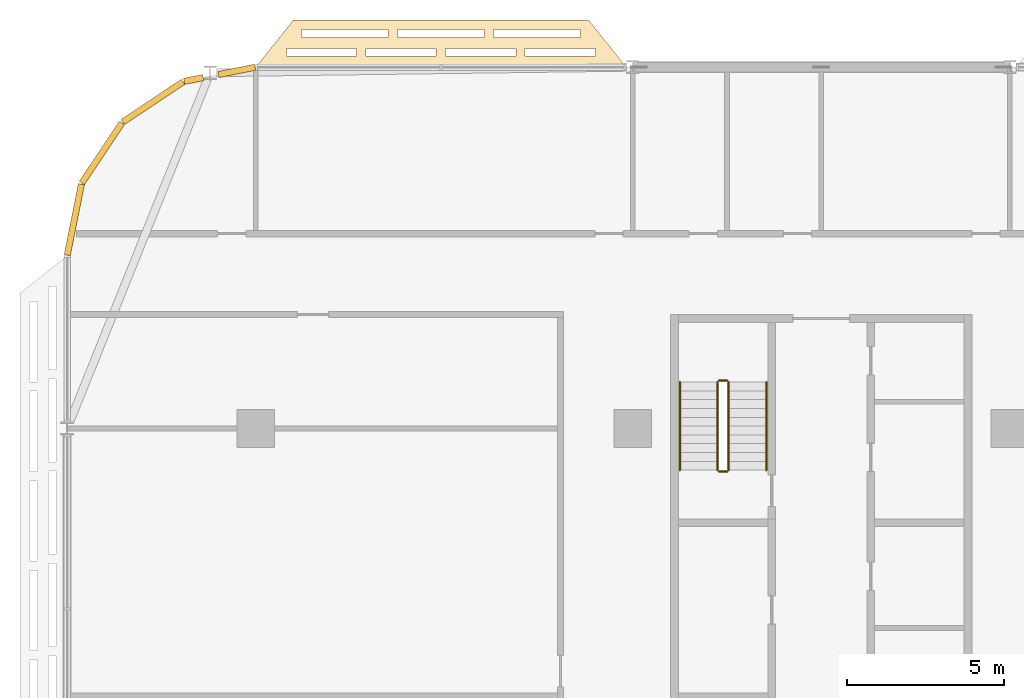
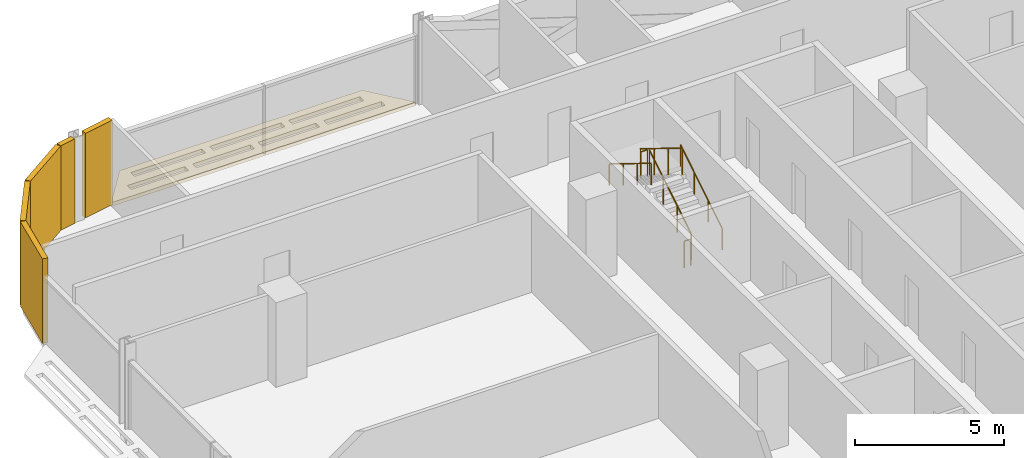
# One storey, part 24 of 27: 6 coverings, 6 railings.
"""IFC4 building model written with IfcOpenShell, lengths in metres."""

from ifc_helpers import new_model, si_unit, direction, frame, origin, origin_2d, place, context, subcontext, project, spatial, polyline, rectangle, circle, outline, extrude, material, layer, layer_set, type_object, element, save


model = new_model("IFC4")

# Units and contexts
model_context = context("Model", 3, precision=1e-05, world=origin(), true_north=direction((0.0, 1.0)))
body_context = subcontext(model_context, "Body", "Model", "MODEL_VIEW")
ifc_project = project(units=[si_unit("LENGTHUNIT", "METRE"), si_unit("AREAUNIT", "SQUARE_METRE"), si_unit("VOLUMEUNIT", "CUBIC_METRE"), si_unit("PLANEANGLEUNIT", "RADIAN"), si_unit("MASSUNIT", "GRAM", prefix="KILO")], contexts=[model_context])

# Site, building, storey
site_placement = place(None, origin())
site = spatial("IfcSite", under=ifc_project, at=site_placement, CompositionType="ELEMENT")
building_placement = place(site_placement, origin())
building = spatial("IfcBuilding", under=site, at=building_placement, Name="Mahtab Terrace Research Tower", CompositionType="ELEMENT")
storey_placement = place(building_placement, frame((0.0, 0.0, 166.800048828125)))
storey = spatial("IfcBuildingStorey", under=building, at=storey_placement, Name="L39", CompositionType="ELEMENT", Elevation=166.800048828125)

# Coverings
ifc_material_1 = material(Name="Black aluminium cladding panel", Category="aluminium")
ifc_layer_1 = layer(ifc_material_1, 0.199951171875)
ifc_layer_set_1 = layer_set([ifc_layer_1], Name="Black metal corner cladding 200")
covering_type_1 = type_object("IfcCoveringType", Name="Black metal corner cladding 200", PredefinedType="CLADDING", material=ifc_layer_set_1)
covering_1_placement = place(storey_placement, frame((-42.603271484375, 22.8798828125, 0.0), z_axis=(0.0, 0.0, 1.0), x_axis=(-0.980760981187, -0.195212442692, 0.0)))
element("IfcCovering", 1, at=covering_1_placement, inside=storey, type_object=covering_type_1, Name="Corner cladding L39 10", PredefinedType="CLADDING", context=body_context, shape_type="SweptSolid", body=[
    extrude(rectangle(XDim=1.1904296875, YDim=0.199951171875, at=origin_2d()), origin(), (0.0, 0.0, 1.0), 3.4599609375),
])
covering_2_placement = place(storey_placement, frame((-43.9716796875, 22.607666015625, 0.0), z_axis=(0.0, 0.0, 1.0), x_axis=(-0.980760981187, -0.195212442692, 0.0)))
element("IfcCovering", 2, at=covering_2_placement, inside=storey, type_object=covering_type_1, Name="Corner cladding L39 11", PredefinedType="CLADDING", context=body_context, shape_type="SweptSolid", body=[
    extrude(rectangle(XDim=0.62158203125, YDim=0.199951171875, at=origin_2d()), origin(), (0.0, 0.0, 1.0), 3.4599609375),
])
for number, where, z_axis, x_axis, name in (
    (3, (-45.26953125, 21.89306640625, 0.0), (0.0, 0.0, 1.0), (-0.831655794326, -0.555291490808, 0.0), "Corner cladding L39 12"),
    (4, (-46.89306640625, 20.26953125, 0.0), (0.0, 0.0, 1.0), (-0.555291490808, -0.831655794326, 0.0), "Corner cladding L39 13"),
    (5, (-47.771484375, 18.14794921875, 0.0), (0.0, 0.0, 1.0), (-0.195212442692, -0.980760981187, 0.0), "Corner cladding L39 14"),
):
    element("IfcCovering", number, at=place(storey_placement, frame(where, z_axis=z_axis, x_axis=x_axis)), inside=storey, type_object=covering_type_1, Name=name, PredefinedType="CLADDING", context=body_context, shape_type="SweptSolid", body=[
        extrude(rectangle(XDim=2.30126953125, YDim=0.199951171875, at=origin_2d()), origin(), (0.0, 0.0, 1.0), 3.4599609375),
    ])
ifc_material_2 = material(Name="Black anodised aluminium", Category="aluminium")
ifc_layer_2 = layer(ifc_material_2, 0.14990234375)
ifc_layer_set_2 = layer_set([ifc_layer_2], Name="Horizontal sunshade band")
covering_type_2 = type_object("IfcCoveringType", Name="Horizontal sunshade band", PredefinedType="CLADDING", material=ifc_layer_set_2)
covering_3_placement = place(storey_placement, frame((0.0, 0.0, -0.150146484375)))
element("IfcCovering", 6, at=covering_3_placement, inside=storey, type_object=covering_type_2, Name="Sunshade band L39 9", PredefinedType="CLADDING", context=body_context, shape_type="SweptSolid", body=[
    extrude(outline(polyline([(-30.2080078125, 23.0), (-42.0, 23.0), (-40.800048828125, 24.5), (-31.407958984375, 24.5), (-30.2080078125, 23.0)]), holes=[polyline([(-31.18798828125, 23.35009765625), (-33.4208984375, 23.35009765625), (-33.4208984375, 23.60009765625), (-31.18798828125, 23.60009765625), (-31.18798828125, 23.35009765625)]), polyline([(-33.720947265625, 23.35009765625), (-35.9541015625, 23.35009765625), (-35.9541015625, 23.60009765625), (-33.720947265625, 23.60009765625), (-33.720947265625, 23.35009765625)]), polyline([(-36.25390625, 23.35009765625), (-38.487060546875, 23.35009765625), (-38.487060546875, 23.60009765625), (-36.25390625, 23.60009765625), (-36.25390625, 23.35009765625)]), polyline([(-38.787109375, 23.35009765625), (-41.02001953125, 23.35009765625), (-41.02001953125, 23.60009765625), (-38.787109375, 23.60009765625), (-38.787109375, 23.35009765625)]), polyline([(-31.66796875, 23.949951171875), (-34.425048828125, 23.949951171875), (-34.425048828125, 24.199951171875), (-31.66796875, 24.199951171875), (-31.66796875, 23.949951171875)]), polyline([(-34.72509765625, 23.949951171875), (-37.48291015625, 23.949951171875), (-37.48291015625, 24.199951171875), (-34.72509765625, 24.199951171875), (-34.72509765625, 23.949951171875)]), polyline([(-37.782958984375, 23.949951171875), (-40.5400390625, 23.949951171875), (-40.5400390625, 24.199951171875), (-37.782958984375, 24.199951171875), (-37.782958984375, 23.949951171875)])]), origin(), (0.0, 0.0, 1.0), 0.150146484375),
])

# Railings
ifc_material_3 = material(Name="Stainless steel AISI 304", Category="steel")
railing_type_1 = type_object("IfcRailingType", Name="Stair guard 1100", PredefinedType="GUARDRAIL", material=ifc_material_3)
railing_1_placement = place(storey_placement, frame((-26.949951171875, 10.175048828125, 0.172607421875)))
element("IfcRailing", 7, at=railing_1_placement, inside=storey, type_object=railing_type_1, Name="L39 ST1 stair guard 1", PredefinedType="GUARDRAIL", context=body_context, shape_type="SweptSolid", body=[
    extrude(circle(Radius=0.02392578125, at=origin_2d()), frame((0.0, 0.0, 1.076171875), z_axis=(0.0, 0.851089632645, 0.525020415988), x_axis=(-1.0, 0.0, 0.0)), (0.0, 0.0, 1.0), 3.2900390625),
    extrude(circle(Radius=0.02099609375, at=origin_2d()), origin(), (0.0, 0.0, 1.0), 1.052001953125),
    extrude(circle(Radius=0.02099609375, at=origin_2d()), frame((0.0, 0.933349609375, 0.57568359375)), (0.0, 0.0, 1.0), 1.052001953125),
    extrude(circle(Radius=0.02099609375, at=origin_2d()), frame((0.0, 1.86669921875, 1.151611328125)), (0.0, 0.0, 1.0), 1.052001953125),
    extrude(circle(Radius=0.02099609375, at=origin_2d()), frame((0.0, 2.800048828125, 1.727294921875)), (0.0, 0.0, 1.0), 1.052001953125),
])
railing_2_placement = place(storey_placement, frame((-27.0, 13.02490234375, 1.89990234375)))
element("IfcRailing", 8, at=railing_2_placement, inside=storey, type_object=railing_type_1, Name="L39 ST1 stair guard 2", PredefinedType="GUARDRAIL", context=body_context, shape_type="SweptSolid", body=[
    extrude(circle(Radius=0.02392578125, at=origin_2d()), frame((0.0, 0.0, 1.076171875), z_axis=(-1.0, 0.0, 0.0), x_axis=(0.0, -1.0, 0.0)), (0.0, 0.0, 1.0), 0.25),
    extrude(circle(Radius=0.02099609375, at=origin_2d()), origin(), (0.0, 0.0, 1.0), 1.052001953125),
    extrude(circle(Radius=0.02099609375, at=origin_2d()), frame((-0.25, 0.0, 0.0)), (0.0, 0.0, 1.0), 1.052001953125),
])
railing_3_placement = place(storey_placement, frame((-27.300048828125, 12.97509765625, 2.07275390625)))
element("IfcRailing", 9, at=railing_3_placement, inside=storey, type_object=railing_type_1, Name="L39 ST1 stair guard 3", PredefinedType="GUARDRAIL", context=body_context, shape_type="SweptSolid", body=[
    extrude(circle(Radius=0.02392578125, at=origin_2d()), frame((0.0, 0.0, 1.076171875), z_axis=(0.0, -0.851089632645, 0.525020415988), x_axis=(1.0, 0.0, 0.0)), (0.0, 0.0, 1.0), 3.2900390625),
    extrude(circle(Radius=0.02099609375, at=origin_2d()), origin(), (0.0, 0.0, 1.0), 1.052001953125),
    extrude(circle(Radius=0.02099609375, at=origin_2d()), frame((0.0, -0.933349609375, 0.57568359375)), (0.0, 0.0, 1.0), 1.052001953125),
    extrude(circle(Radius=0.02099609375, at=origin_2d()), frame((0.0, -1.86669921875, 1.151611328125)), (0.0, 0.0, 1.0), 1.052001953125),
    extrude(circle(Radius=0.02099609375, at=origin_2d()), frame((0.0, -2.800048828125, 1.727294921875)), (0.0, 0.0, 1.0), 1.052001953125),
])
railing_4_placement = place(storey_placement, frame((-27.0, 10.125, 0.0)))
element("IfcRailing", 10, at=railing_4_placement, inside=storey, type_object=railing_type_1, Name="L39 ST1 stair guard 4", PredefinedType="GUARDRAIL", context=body_context, shape_type="SweptSolid", body=[
    extrude(circle(Radius=0.02392578125, at=origin_2d()), frame((0.0, 0.0, 1.076171875), z_axis=(-1.0, 0.0, 0.0), x_axis=(0.0, -1.0, 0.0)), (0.0, 0.0, 1.0), 0.25),
    extrude(circle(Radius=0.02099609375, at=origin_2d()), origin(), (0.0, 0.0, 1.0), 1.052001953125),
    extrude(circle(Radius=0.02099609375, at=origin_2d()), frame((-0.25, 0.0, 0.0)), (0.0, 0.0, 1.0), 1.052001953125),
])
railing_type_2 = type_object("IfcRailingType", Name="Stair handrail 900", PredefinedType="HANDRAIL", material=ifc_material_3)
railing_5_placement = place(storey_placement, frame((-25.75, 10.175048828125, 0.172607421875)))
element("IfcRailing", 11, at=railing_5_placement, inside=storey, type_object=railing_type_2, Name="L39 ST1 stair handrail 1", PredefinedType="HANDRAIL", context=body_context, shape_type="SweptSolid", body=[
    extrude(circle(Radius=0.02392578125, at=origin_2d()), frame((0.0, 0.0, 0.8759765625), z_axis=(0.0, 0.851089632645, 0.525020415988), x_axis=(-1.0, 0.0, 0.0)), (0.0, 0.0, 1.0), 3.2900390625),
    extrude(circle(Radius=0.02099609375, at=origin_2d()), origin(), (0.0, 0.0, 1.0), 0.851806640625),
    extrude(circle(Radius=0.02099609375, at=origin_2d()), frame((0.0, 0.933349609375, 0.57568359375)), (0.0, 0.0, 1.0), 0.851806640625),
    extrude(circle(Radius=0.02099609375, at=origin_2d()), frame((0.0, 1.86669921875, 1.151611328125)), (0.0, 0.0, 1.0), 0.851806640625),
    extrude(circle(Radius=0.02099609375, at=origin_2d()), frame((0.0, 2.800048828125, 1.727294921875)), (0.0, 0.0, 1.0), 0.851806640625),
])
railing_6_placement = place(storey_placement, frame((-28.5, 12.97509765625, 2.07275390625)))
element("IfcRailing", 12, at=railing_6_placement, inside=storey, type_object=railing_type_2, Name="L39 ST1 stair handrail 2", PredefinedType="HANDRAIL", context=body_context, shape_type="SweptSolid", body=[
    extrude(circle(Radius=0.02392578125, at=origin_2d()), frame((0.0, 0.0, 0.8759765625), z_axis=(0.0, -0.851089632645, 0.525020415988), x_axis=(1.0, 0.0, 0.0)), (0.0, 0.0, 1.0), 3.2900390625),
    extrude(circle(Radius=0.02099609375, at=origin_2d()), origin(), (0.0, 0.0, 1.0), 0.851806640625),
    extrude(circle(Radius=0.02099609375, at=origin_2d()), frame((0.0, -0.933349609375, 0.57568359375)), (0.0, 0.0, 1.0), 0.851806640625),
    extrude(circle(Radius=0.02099609375, at=origin_2d()), frame((0.0, -1.86669921875, 1.151611328125)), (0.0, 0.0, 1.0), 0.851806640625),
    extrude(circle(Radius=0.02099609375, at=origin_2d()), frame((0.0, -2.800048828125, 1.727294921875)), (0.0, 0.0, 1.0), 0.851806640625),
])

save(model, "model.ifc")
